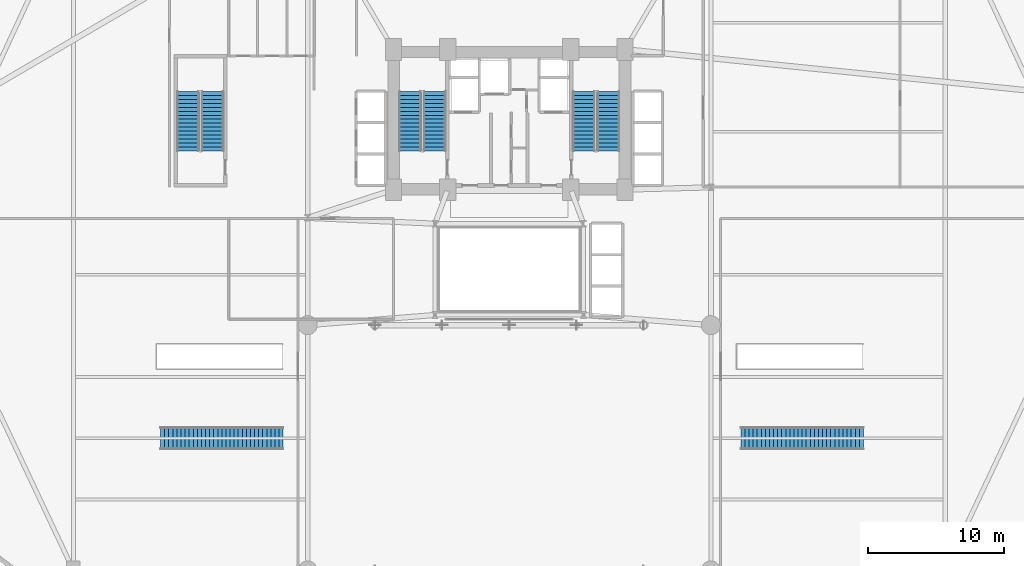
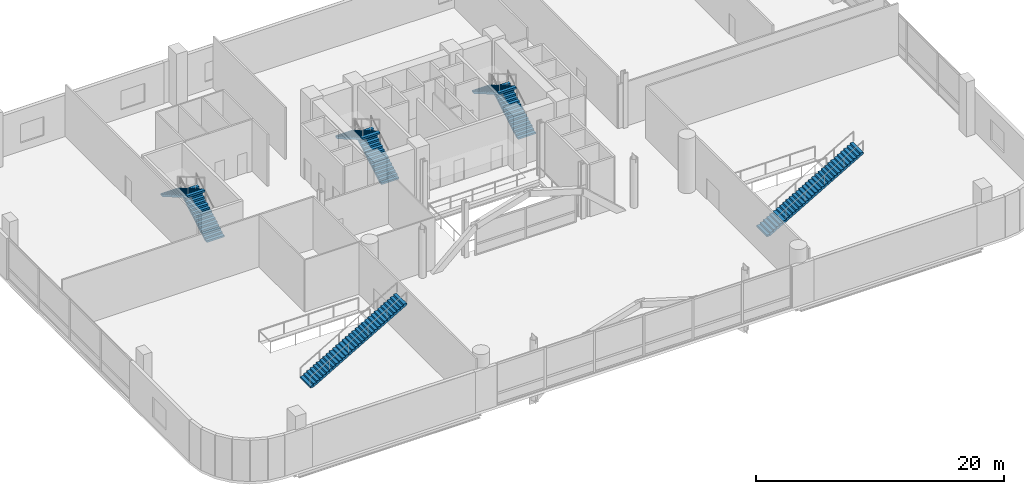
# One storey, part 29 of 36: 8 stair flights, 5 elements without a shape of their own.
"""IFC4 building model written with IfcOpenShell, lengths in metres."""

from ifc_helpers import new_model, si_unit, direction, frame, origin, place, context, subcontext, project, spatial, polyline, outline, extrude, material, type_object, element, aggregate, save


model = new_model("IFC4")

# Units and contexts
model_context = context("Model", 3, precision=1e-05, world=origin(), true_north=direction((0.0, 1.0)))
body_context = subcontext(model_context, "Body", "Model", "MODEL_VIEW")
ifc_project = project(units=[si_unit("LENGTHUNIT", "METRE"), si_unit("AREAUNIT", "SQUARE_METRE"), si_unit("VOLUMEUNIT", "CUBIC_METRE"), si_unit("PLANEANGLEUNIT", "RADIAN"), si_unit("MASSUNIT", "GRAM", prefix="KILO")], contexts=[model_context])

# Site, building, storey
site_placement = place(None, origin())
site = spatial("IfcSite", under=ifc_project, at=site_placement, CompositionType="ELEMENT")
building_placement = place(site_placement, origin())
building = spatial("IfcBuilding", under=site, at=building_placement, Name="Varnelok Gate Tower", CompositionType="ELEMENT")
storey_placement = place(building_placement, frame((0.0, 0.0, 10.800048828125)))
storey = spatial("IfcBuildingStorey", under=building, at=storey_placement, Name="L02", CompositionType="ELEMENT", Elevation=10.800048828125)

# Stair, stair flights
ifc_material_1 = material(Name="Concrete C50/60", Category="concrete")
stair_type_1 = type_object("IfcStairType", Name="STR-CORE-1650", PredefinedType="HALF_TURN_STAIR", material=ifc_material_1)
stair_1_placement = place(storey_placement, origin())
stair_1 = element("IfcStair", 1, at=stair_1_placement, inside=storey, type_object=stair_type_1, Name="L02 Exit Stair ST-1", PredefinedType="HALF_TURN_STAIR")
stair_flight_type_1 = type_object("IfcStairFlightType", Name="SFL-CORE-1650", PredefinedType="STRAIGHT", material=ifc_material_1)
stair_flight_1_placement = place(storey_placement, frame((33.72509765625, 31.60009765625, 0.0), z_axis=(0.0, 0.0, 1.0), x_axis=(0.0, 1.0, 0.0)))
stair_flight_1 = element("IfcStairFlight", 2, at=stair_flight_1_placement, type_object=stair_flight_type_1, Name="ST-1 flight 1", NumberOfRisers=16, NumberOfTreads=15, PredefinedType="STRAIGHT", RiserHeight=0.16875, TreadLength=0.29, context=body_context, shape_type="SweptSolid", body=[
    extrude(outline(polyline([(0.0, 0.0), (0.0, 0.168701171875), (0.2900390625, 0.168701171875), (0.2900390625, 0.33740234375), (0.580078125, 0.33740234375), (0.580078125, 0.50634765625), (0.8701171875, 0.50634765625), (0.8701171875, 0.675048828125), (1.159912109375, 0.675048828125), (1.159912109375, 0.84375), (1.449951171875, 0.84375), (1.449951171875, 1.012451171875), (1.739990234375, 1.012451171875), (1.739990234375, 1.18115234375), (2.030029296875, 1.18115234375), (2.030029296875, 1.35009765625), (2.320068359375, 1.35009765625), (2.320068359375, 1.518798828125), (2.610107421875, 1.518798828125), (2.610107421875, 1.6875), (2.89990234375, 1.6875), (2.89990234375, 1.856201171875), (3.18994140625, 1.856201171875), (3.18994140625, 2.02490234375), (3.47998046875, 2.02490234375), (3.47998046875, 2.19384765625), (3.77001953125, 2.19384765625), (3.77001953125, 2.362548828125), (4.06005859375, 2.362548828125), (4.06005859375, 2.53125), (4.35009765625, 2.53125), (4.35009765625, 2.699951171875), (4.35009765625, 2.35791015625), (0.298095703125, 0.0), (0.0, 0.0)])), frame((0.0, 0.824951171875, 0.0), z_axis=(0.0, -1.0, 0.0), x_axis=(1.0, 0.0, 0.0)), (0.0, 0.0, 1.0), 1.64990234375),
])
stair_flight_2_placement = place(storey_placement, frame((31.925048828125, 35.949951171875, 2.699951171875), z_axis=(0.0, 0.0, 1.0), x_axis=(0.0, -1.0, 0.0)))
stair_flight_2 = element("IfcStairFlight", 3, at=stair_flight_2_placement, type_object=stair_flight_type_1, Name="ST-1 flight 2", NumberOfRisers=16, NumberOfTreads=15, PredefinedType="STRAIGHT", RiserHeight=0.16875, TreadLength=0.29, context=body_context, shape_type="SweptSolid", body=[
    extrude(outline(polyline([(0.0, 0.0), (0.0, 0.168701171875), (0.2900390625, 0.168701171875), (0.2900390625, 0.33740234375), (0.580078125, 0.33740234375), (0.580078125, 0.50634765625), (0.8701171875, 0.50634765625), (0.8701171875, 0.675048828125), (1.159912109375, 0.675048828125), (1.159912109375, 0.84375), (1.449951171875, 0.84375), (1.449951171875, 1.012451171875), (1.739990234375, 1.012451171875), (1.739990234375, 1.18115234375), (2.030029296875, 1.18115234375), (2.030029296875, 1.35009765625), (2.320068359375, 1.35009765625), (2.320068359375, 1.518798828125), (2.610107421875, 1.518798828125), (2.610107421875, 1.6875), (2.89990234375, 1.6875), (2.89990234375, 1.856201171875), (3.18994140625, 1.856201171875), (3.18994140625, 2.02490234375), (3.47998046875, 2.02490234375), (3.47998046875, 2.19384765625), (3.77001953125, 2.19384765625), (3.77001953125, 2.362548828125), (4.06005859375, 2.362548828125), (4.06005859375, 2.53125), (4.35009765625, 2.53125), (4.35009765625, 2.699951171875), (4.35009765625, 2.35791015625), (0.298095703125, 0.0), (0.0, 0.0)])), frame((0.0, 0.824951171875, 0.0), z_axis=(0.0, -1.0, 0.0), x_axis=(1.0, 0.0, 0.0)), (0.0, 0.0, 1.0), 1.64990234375),
])
aggregate(stair_1, [stair_flight_1, stair_flight_2])

stair_2_placement = place(storey_placement, origin())
stair_2 = element("IfcStair", 4, at=stair_2_placement, inside=storey, type_object=stair_type_1, Name="L02 Exit Stair ST-2", PredefinedType="HALF_TURN_STAIR")
stair_flight_3_placement = place(storey_placement, frame((46.47509765625, 31.60009765625, 0.0), z_axis=(0.0, 0.0, 1.0), x_axis=(0.0, 1.0, 0.0)))
stair_flight_3 = element("IfcStairFlight", 5, at=stair_flight_3_placement, type_object=stair_flight_type_1, Name="ST-2 flight 1", NumberOfRisers=16, NumberOfTreads=15, PredefinedType="STRAIGHT", RiserHeight=0.16875, TreadLength=0.29, context=body_context, shape_type="SweptSolid", body=[
    extrude(outline(polyline([(0.0, 0.0), (0.0, 0.168701171875), (0.2900390625, 0.168701171875), (0.2900390625, 0.33740234375), (0.580078125, 0.33740234375), (0.580078125, 0.50634765625), (0.8701171875, 0.50634765625), (0.8701171875, 0.675048828125), (1.159912109375, 0.675048828125), (1.159912109375, 0.84375), (1.449951171875, 0.84375), (1.449951171875, 1.012451171875), (1.739990234375, 1.012451171875), (1.739990234375, 1.18115234375), (2.030029296875, 1.18115234375), (2.030029296875, 1.35009765625), (2.320068359375, 1.35009765625), (2.320068359375, 1.518798828125), (2.610107421875, 1.518798828125), (2.610107421875, 1.6875), (2.89990234375, 1.6875), (2.89990234375, 1.856201171875), (3.18994140625, 1.856201171875), (3.18994140625, 2.02490234375), (3.47998046875, 2.02490234375), (3.47998046875, 2.19384765625), (3.77001953125, 2.19384765625), (3.77001953125, 2.362548828125), (4.06005859375, 2.362548828125), (4.06005859375, 2.53125), (4.35009765625, 2.53125), (4.35009765625, 2.699951171875), (4.35009765625, 2.35791015625), (0.298095703125, 0.0), (0.0, 0.0)])), frame((0.0, 0.824951171875, 0.0), z_axis=(0.0, -1.0, 0.0), x_axis=(1.0, 0.0, 0.0)), (0.0, 0.0, 1.0), 1.64990234375),
])
stair_flight_4_placement = place(storey_placement, frame((44.675048828125, 35.949951171875, 2.699951171875), z_axis=(0.0, 0.0, 1.0), x_axis=(0.0, -1.0, 0.0)))
stair_flight_4 = element("IfcStairFlight", 6, at=stair_flight_4_placement, type_object=stair_flight_type_1, Name="ST-2 flight 2", NumberOfRisers=16, NumberOfTreads=15, PredefinedType="STRAIGHT", RiserHeight=0.16875, TreadLength=0.29, context=body_context, shape_type="SweptSolid", body=[
    extrude(outline(polyline([(0.0, 0.0), (0.0, 0.168701171875), (0.2900390625, 0.168701171875), (0.2900390625, 0.33740234375), (0.580078125, 0.33740234375), (0.580078125, 0.50634765625), (0.8701171875, 0.50634765625), (0.8701171875, 0.675048828125), (1.159912109375, 0.675048828125), (1.159912109375, 0.84375), (1.449951171875, 0.84375), (1.449951171875, 1.012451171875), (1.739990234375, 1.012451171875), (1.739990234375, 1.18115234375), (2.030029296875, 1.18115234375), (2.030029296875, 1.35009765625), (2.320068359375, 1.35009765625), (2.320068359375, 1.518798828125), (2.610107421875, 1.518798828125), (2.610107421875, 1.6875), (2.89990234375, 1.6875), (2.89990234375, 1.856201171875), (3.18994140625, 1.856201171875), (3.18994140625, 2.02490234375), (3.47998046875, 2.02490234375), (3.47998046875, 2.19384765625), (3.77001953125, 2.19384765625), (3.77001953125, 2.362548828125), (4.06005859375, 2.362548828125), (4.06005859375, 2.53125), (4.35009765625, 2.53125), (4.35009765625, 2.699951171875), (4.35009765625, 2.35791015625), (0.298095703125, 0.0), (0.0, 0.0)])), frame((0.0, 0.824951171875, 0.0), z_axis=(0.0, -1.0, 0.0), x_axis=(1.0, 0.0, 0.0)), (0.0, 0.0, 1.0), 1.64990234375),
])
aggregate(stair_2, [stair_flight_3, stair_flight_4])

stair_3_placement = place(storey_placement, origin())
stair_3 = element("IfcStair", 7, at=stair_3_placement, inside=storey, type_object=stair_type_1, Name="L02 Podium Exit Stair ST-3", PredefinedType="HALF_TURN_STAIR")
stair_flight_5_placement = place(storey_placement, frame((17.425048828125, 31.60009765625, 0.0), z_axis=(0.0, 0.0, 1.0), x_axis=(0.0, 1.0, 0.0)))
stair_flight_5 = element("IfcStairFlight", 8, at=stair_flight_5_placement, type_object=stair_flight_type_1, Name="ST-3 flight 1", NumberOfRisers=16, NumberOfTreads=15, PredefinedType="STRAIGHT", RiserHeight=0.16875, TreadLength=0.29, context=body_context, shape_type="SweptSolid", body=[
    extrude(outline(polyline([(0.0, 0.0), (0.0, 0.168701171875), (0.2900390625, 0.168701171875), (0.2900390625, 0.33740234375), (0.580078125, 0.33740234375), (0.580078125, 0.50634765625), (0.8701171875, 0.50634765625), (0.8701171875, 0.675048828125), (1.159912109375, 0.675048828125), (1.159912109375, 0.84375), (1.449951171875, 0.84375), (1.449951171875, 1.012451171875), (1.739990234375, 1.012451171875), (1.739990234375, 1.18115234375), (2.030029296875, 1.18115234375), (2.030029296875, 1.35009765625), (2.320068359375, 1.35009765625), (2.320068359375, 1.518798828125), (2.610107421875, 1.518798828125), (2.610107421875, 1.6875), (2.89990234375, 1.6875), (2.89990234375, 1.856201171875), (3.18994140625, 1.856201171875), (3.18994140625, 2.02490234375), (3.47998046875, 2.02490234375), (3.47998046875, 2.19384765625), (3.77001953125, 2.19384765625), (3.77001953125, 2.362548828125), (4.06005859375, 2.362548828125), (4.06005859375, 2.53125), (4.35009765625, 2.53125), (4.35009765625, 2.699951171875), (4.35009765625, 2.35791015625), (0.298095703125, 0.0), (0.0, 0.0)])), frame((0.0, 0.824951171875, 0.0), z_axis=(0.0, -1.0, 0.0), x_axis=(1.0, 0.0, 0.0)), (0.0, 0.0, 1.0), 1.64990234375),
])
stair_flight_6_placement = place(storey_placement, frame((15.625, 35.949951171875, 2.699951171875), z_axis=(0.0, 0.0, 1.0), x_axis=(0.0, -1.0, 0.0)))
stair_flight_6 = element("IfcStairFlight", 9, at=stair_flight_6_placement, type_object=stair_flight_type_1, Name="ST-3 flight 2", NumberOfRisers=16, NumberOfTreads=15, PredefinedType="STRAIGHT", RiserHeight=0.16875, TreadLength=0.29, context=body_context, shape_type="SweptSolid", body=[
    extrude(outline(polyline([(0.0, 0.0), (0.0, 0.168701171875), (0.2900390625, 0.168701171875), (0.2900390625, 0.33740234375), (0.580078125, 0.33740234375), (0.580078125, 0.50634765625), (0.8701171875, 0.50634765625), (0.8701171875, 0.675048828125), (1.159912109375, 0.675048828125), (1.159912109375, 0.84375), (1.449951171875, 0.84375), (1.449951171875, 1.012451171875), (1.739990234375, 1.012451171875), (1.739990234375, 1.18115234375), (2.030029296875, 1.18115234375), (2.030029296875, 1.35009765625), (2.320068359375, 1.35009765625), (2.320068359375, 1.518798828125), (2.610107421875, 1.518798828125), (2.610107421875, 1.6875), (2.89990234375, 1.6875), (2.89990234375, 1.856201171875), (3.18994140625, 1.856201171875), (3.18994140625, 2.02490234375), (3.47998046875, 2.02490234375), (3.47998046875, 2.19384765625), (3.77001953125, 2.19384765625), (3.77001953125, 2.362548828125), (4.06005859375, 2.362548828125), (4.06005859375, 2.53125), (4.35009765625, 2.53125), (4.35009765625, 2.699951171875), (4.35009765625, 2.35791015625), (0.298095703125, 0.0), (0.0, 0.0)])), frame((0.0, 0.824951171875, 0.0), z_axis=(0.0, -1.0, 0.0), x_axis=(1.0, 0.0, 0.0)), (0.0, 0.0, 1.0), 1.64990234375),
])
aggregate(stair_3, [stair_flight_5, stair_flight_6])

# Stair, stair flight
ifc_material_2 = material(Name="Galvanized Steel Grade S350GD", Category="steel")
stair_type_2 = type_object("IfcStairType", Name="STR-FEAT-1550", PredefinedType="STRAIGHT_RUN_STAIR", material=ifc_material_2)
stair_4_placement = place(storey_placement, origin())
stair_4 = element("IfcStair", 10, at=stair_4_placement, inside=storey, type_object=stair_type_2, Name="Feature Stair ST-4 (L02 to L03)", PredefinedType="STRAIGHT_RUN_STAIR")
stair_flight_type_2 = type_object("IfcStairFlightType", Name="SFL-FEAT-1550", PredefinedType="STRAIGHT", material=ifc_material_2)
stair_flight_7_placement = place(storey_placement, frame((13.60009765625, 10.5, 0.0), z_axis=(0.0, 0.0, 1.0), x_axis=(1.0, 0.0, 0.0)))
stair_flight_7 = element("IfcStairFlight", 11, at=stair_flight_7_placement, type_object=stair_flight_type_2, Name="ST-4 flight 1", NumberOfRisers=31, NumberOfTreads=30, PredefinedType="STRAIGHT", RiserHeight=0.174193548, TreadLength=0.3, context=body_context, shape_type="SweptSolid", body=[
    extrude(outline(polyline([(0.0, 0.0), (0.0, 0.174072265625), (0.300048828125, 0.174072265625), (0.300048828125, 0.348388671875), (0.60009765625, 0.348388671875), (0.60009765625, 0.5224609375), (0.89990234375, 0.5224609375), (0.89990234375, 0.69677734375), (1.199951171875, 0.69677734375), (1.199951171875, 0.870849609375), (1.5, 0.870849609375), (1.5, 1.045166015625), (1.800048828125, 1.045166015625), (1.800048828125, 1.21923828125), (2.10009765625, 1.21923828125), (2.10009765625, 1.3935546875), (2.39990234375, 1.3935546875), (2.39990234375, 1.567626953125), (2.699951171875, 1.567626953125), (2.699951171875, 1.741943359375), (3.0, 1.741943359375), (3.0, 1.916015625), (3.300048828125, 1.916015625), (3.300048828125, 2.09033203125), (3.60009765625, 2.09033203125), (3.60009765625, 2.264404296875), (3.89990234375, 2.264404296875), (3.89990234375, 2.438720703125), (4.199951171875, 2.438720703125), (4.199951171875, 2.61279296875), (4.5, 2.61279296875), (4.5, 2.787109375), (4.800048828125, 2.787109375), (4.800048828125, 2.961181640625), (5.10009765625, 2.961181640625), (5.10009765625, 3.135498046875), (5.39990234375, 3.135498046875), (5.39990234375, 3.3095703125), (5.699951171875, 3.3095703125), (5.699951171875, 3.48388671875), (6.0, 3.48388671875), (6.0, 3.657958984375), (6.300048828125, 3.657958984375), (6.300048828125, 3.832275390625), (6.60009765625, 3.832275390625), (6.60009765625, 4.00634765625), (6.89990234375, 4.00634765625), (6.89990234375, 4.1806640625), (7.199951171875, 4.1806640625), (7.199951171875, 4.354736328125), (7.5, 4.354736328125), (7.5, 4.529052734375), (7.800048828125, 4.529052734375), (7.800048828125, 4.703125), (8.10009765625, 4.703125), (8.10009765625, 4.87744140625), (8.39990234375, 4.87744140625), (8.39990234375, 5.051513671875), (8.699951171875, 5.051513671875), (8.699951171875, 5.225830078125), (9.0, 5.225830078125), (9.0, 5.39990234375), (9.0, 5.052490234375), (0.298583984375, 0.0), (0.0, 0.0)])), frame((0.0, 0.824951171875, 0.0), z_axis=(0.0, -1.0, 0.0), x_axis=(1.0, 0.0, 0.0)), (0.0, 0.0, 1.0), 1.64990234375),
])
aggregate(stair_4, [stair_flight_7])

stair_5_placement = place(storey_placement, origin())
stair_5 = element("IfcStair", 12, at=stair_5_placement, inside=storey, type_object=stair_type_2, Name="Feature Stair ST-5 (L02 to L03)", PredefinedType="STRAIGHT_RUN_STAIR")
stair_flight_8_placement = place(storey_placement, frame((56.199951171875, 10.5, 0.0), z_axis=(0.0, 0.0, 1.0), x_axis=(1.0, 0.0, 0.0)))
stair_flight_8 = element("IfcStairFlight", 13, at=stair_flight_8_placement, type_object=stair_flight_type_2, Name="ST-5 flight 1", NumberOfRisers=31, NumberOfTreads=30, PredefinedType="STRAIGHT", RiserHeight=0.174193548, TreadLength=0.3, context=body_context, shape_type="SweptSolid", body=[
    extrude(outline(polyline([(0.0, 0.0), (0.0, 0.174072265625), (0.300048828125, 0.174072265625), (0.300048828125, 0.348388671875), (0.60009765625, 0.348388671875), (0.60009765625, 0.5224609375), (0.89990234375, 0.5224609375), (0.89990234375, 0.69677734375), (1.199951171875, 0.69677734375), (1.199951171875, 0.870849609375), (1.5, 0.870849609375), (1.5, 1.045166015625), (1.800048828125, 1.045166015625), (1.800048828125, 1.21923828125), (2.10009765625, 1.21923828125), (2.10009765625, 1.3935546875), (2.39990234375, 1.3935546875), (2.39990234375, 1.567626953125), (2.699951171875, 1.567626953125), (2.699951171875, 1.741943359375), (3.0, 1.741943359375), (3.0, 1.916015625), (3.300048828125, 1.916015625), (3.300048828125, 2.09033203125), (3.60009765625, 2.09033203125), (3.60009765625, 2.264404296875), (3.89990234375, 2.264404296875), (3.89990234375, 2.438720703125), (4.199951171875, 2.438720703125), (4.199951171875, 2.61279296875), (4.5, 2.61279296875), (4.5, 2.787109375), (4.800048828125, 2.787109375), (4.800048828125, 2.961181640625), (5.10009765625, 2.961181640625), (5.10009765625, 3.135498046875), (5.39990234375, 3.135498046875), (5.39990234375, 3.3095703125), (5.699951171875, 3.3095703125), (5.699951171875, 3.48388671875), (6.0, 3.48388671875), (6.0, 3.657958984375), (6.300048828125, 3.657958984375), (6.300048828125, 3.832275390625), (6.60009765625, 3.832275390625), (6.60009765625, 4.00634765625), (6.89990234375, 4.00634765625), (6.89990234375, 4.1806640625), (7.199951171875, 4.1806640625), (7.199951171875, 4.354736328125), (7.5, 4.354736328125), (7.5, 4.529052734375), (7.800048828125, 4.529052734375), (7.800048828125, 4.703125), (8.10009765625, 4.703125), (8.10009765625, 4.87744140625), (8.39990234375, 4.87744140625), (8.39990234375, 5.051513671875), (8.699951171875, 5.051513671875), (8.699951171875, 5.225830078125), (9.0, 5.225830078125), (9.0, 5.39990234375), (9.0, 5.052490234375), (0.298583984375, 0.0), (0.0, 0.0)])), frame((0.0, 0.824951171875, 0.0), z_axis=(0.0, -1.0, 0.0), x_axis=(1.0, 0.0, 0.0)), (0.0, 0.0, 1.0), 1.64990234375),
])
aggregate(stair_5, [stair_flight_8])

save(model, "model.ifc")
